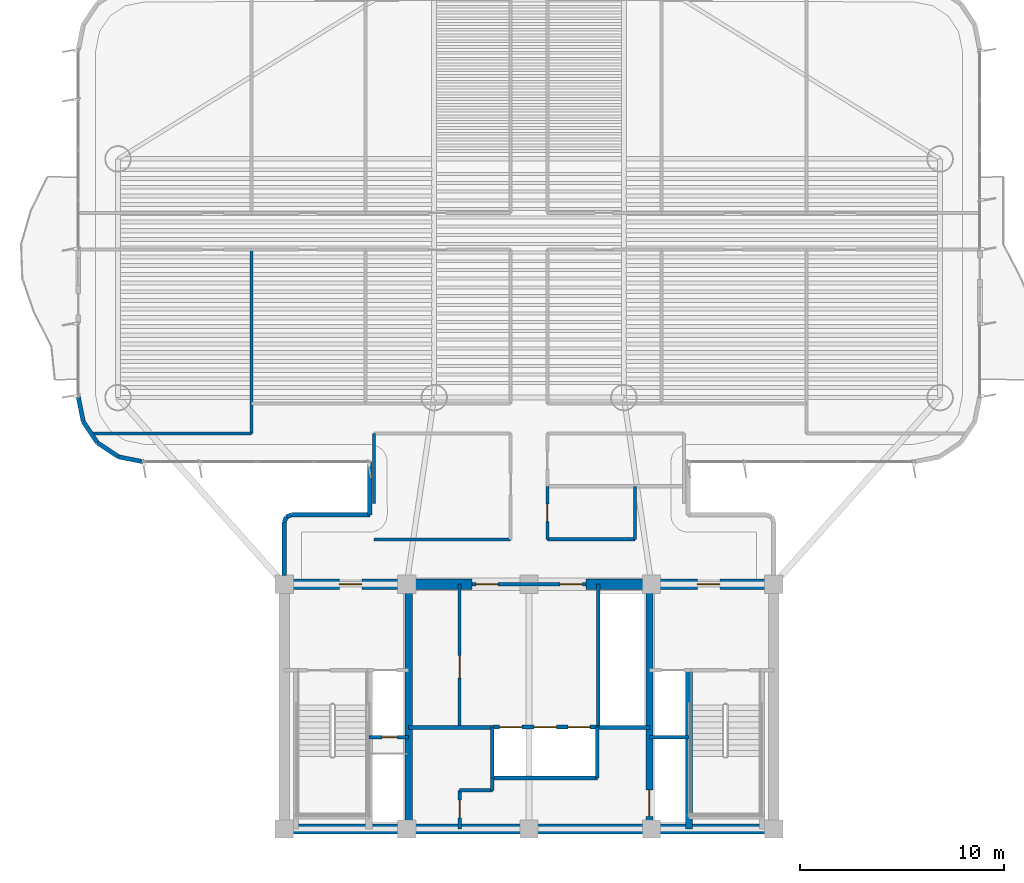
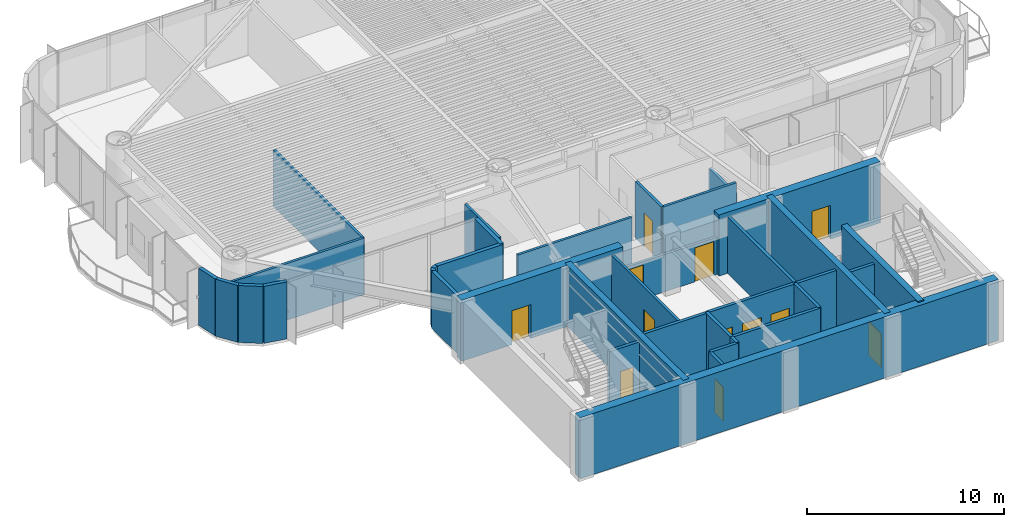
# One storey, part 9 of 16: 36 walls, 12 doors, 12 openings.
"""IFC4 building model written with IfcOpenShell, lengths in metres."""

import ifcopenshell
import ifcopenshell.guid

model = None  # the IFC model being written
_history = None  # IfcOwnerHistory: only IFC2X3 demands one
_inside = {}  # id of a spatial element -> (the spatial element, [elements in it])
_under = {}  # id of a project, library or spatial element -> (it, [spatial elements below it])
_declared = {}  # id of a project -> (the project, [libraries it declares])
_typed = {}  # id of a type object -> (the type object, [elements of that type])
_made_of = {}  # id of a material, layer set ... -> (it, [elements and type objects made of it])


def new_model(schema):
    """Start an empty IFC model of exactly this schema.

    Asked for "IFC4X3", IfcOpenShell would pick the latest addendum, in which some entities
    have other attributes; the version numbers below select the first issue.
    IFC2X3 requires an IfcOwnerHistory on every rooted entity: one is made here for all.
    """
    global model, _history
    if schema == "IFC4X3":
        model = ifcopenshell.file(schema_version=(4, 3, 0, 0))
    else:
        model = ifcopenshell.file(schema=schema)
    _inside.clear()
    _under.clear()
    _declared.clear()
    _typed.clear()
    _made_of.clear()
    _history = None
    if model.schema == "IFC2X3":
        org = make("IfcOrganization", Name="unknown")
        user = make(
            "IfcPersonAndOrganization",
            ThePerson=make("IfcPerson", FamilyName="unknown"),
            TheOrganization=org,
        )
        app = make(
            "IfcApplication",
            ApplicationDeveloper=org,
            Version="unknown",
            ApplicationFullName="unknown",
            ApplicationIdentifier="unknown",
        )
        _history = make(
            "IfcOwnerHistory",
            OwningUser=user,
            OwningApplication=app,
            ChangeAction="ADDED",
            CreationDate=0,
        )
    return model


def make(cls, **values):
    """One entity of the class cls with the attributes given. An attribute that is None is left unset."""
    return model.create_entity(
        cls, **{name: value for name, value in values.items() if value is not None}
    )


def rooted(cls, **values):
    """An entity with a GlobalId (a new one), such as an element, a storey or a relation."""
    return make(cls, GlobalId=ifcopenshell.guid.new(), OwnerHistory=_history, **values)


def si_unit(unit_type, name, prefix=None):
    """IfcSIUnit, for example si_unit("LENGTHUNIT", "METRE", prefix="MILLI")."""
    return make("IfcSIUnit", UnitType=unit_type, Prefix=prefix, Name=name)


def assignment(units):
    """IfcUnitAssignment: the units of a project."""
    return None if units is None else make("IfcUnitAssignment", Units=units)


def point(xyz):
    """IfcCartesianPoint."""
    return None if xyz is None else make("IfcCartesianPoint", Coordinates=xyz)


def direction(xyz):
    """IfcDirection."""
    return None if xyz is None else make("IfcDirection", DirectionRatios=xyz)


def frame(location, z_axis=None, x_axis=None):
    """IfcAxis2Placement3D, a coordinate frame: its origin and axes. An axis left out is left unset."""
    return make(
        "IfcAxis2Placement3D",
        Location=point(location),
        Axis=direction(z_axis),
        RefDirection=direction(x_axis),
    )


def frame_2d(location, x_axis=None):
    """IfcAxis2Placement2D, a coordinate frame in the plane: its origin and x axis."""
    return make(
        "IfcAxis2Placement2D", Location=point(location), RefDirection=direction(x_axis)
    )


def origin():
    """The frame at (0, 0, 0) with its axes left unset."""
    return frame((0.0, 0.0, 0.0))


def origin_2d():
    """The frame at (0, 0) in the plane with its x axis left unset."""
    return frame_2d((0.0, 0.0))


def place(relative_to, where):
    """IfcLocalPlacement: puts the frame where relative to a parent placement (None: the world)."""
    return make(
        "IfcLocalPlacement", PlacementRelTo=relative_to, RelativePlacement=where
    )


def context(
    kind, dimensions, precision=None, world=None, true_north=None, identifier=None
):
    """IfcGeometricRepresentationContext, for example the 3D "Model" context."""
    return make(
        "IfcGeometricRepresentationContext",
        ContextIdentifier=identifier,
        ContextType=kind,
        CoordinateSpaceDimension=dimensions,
        Precision=precision,
        WorldCoordinateSystem=world,
        TrueNorth=true_north,
    )


def subcontext(parent, identifier, kind, view, scale=None):
    """IfcGeometricRepresentationSubContext, for example "Body" below "Model"."""
    return make(
        "IfcGeometricRepresentationSubContext",
        ContextIdentifier=identifier,
        ContextType=kind,
        ParentContext=parent,
        TargetScale=scale,
        TargetView=view,
    )


def project(units=None, contexts=None):
    """IfcProject with its units and contexts."""
    return rooted(
        "IfcProject",
        Name="project",
        RepresentationContexts=contexts,
        UnitsInContext=assignment(units),
    )


def spatial(cls, under=None, at=None, **own):
    """A site, building, storey or space (cls), placed at a placement, below another one or the project."""
    s = rooted(cls, ObjectPlacement=at, **own)
    if under is not None:
        _under.setdefault(under.id(), (under, []))[1].append(s)
    return s


def profile(cls, at=None, kind="AREA", **sizes):
    """A parametric profile (cls). Its sizes go by their IFC names, for example OverallWidth=200.0."""
    return make(cls, ProfileType=kind, Position=at, **sizes)


def rectangle(**sizes):
    """IfcRectangleProfileDef."""
    return profile("IfcRectangleProfileDef", **sizes)


def extrude(swept, where, along, depth):
    """IfcExtrudedAreaSolid: the profile swept, set in the frame where, extruded along a direction by depth."""
    return make(
        "IfcExtrudedAreaSolid",
        SweptArea=swept,
        Position=where,
        ExtrudedDirection=direction(along),
        Depth=depth,
    )


def shape(context_of_items, identifier, shape_type, items):
    """IfcShapeRepresentation: the items that make up one representation, for example the "Body"."""
    return make(
        "IfcShapeRepresentation",
        ContextOfItems=context_of_items,
        RepresentationIdentifier=identifier,
        RepresentationType=shape_type,
        Items=items,
    )


def source(mapping_origin, context_of_items, identifier, shape_type, items):
    """IfcRepresentationMap: a shape defined once, which mapped items show again and again."""
    return make(
        "IfcRepresentationMap",
        MappingOrigin=mapping_origin,
        MappedRepresentation=shape(context_of_items, identifier, shape_type, items),
    )


def transform(
    local_origin,
    x_axis=None,
    y_axis=None,
    z_axis=None,
    scale=None,
    scale2=None,
    scale3=None,
    uniform=True,
):
    """IfcCartesianTransformationOperator3D, or its non-uniform kind. x_axis, y_axis, z_axis: its Axis1, 2, 3."""
    if uniform:
        return make(
            "IfcCartesianTransformationOperator3D",
            Axis1=direction(x_axis),
            Axis2=direction(y_axis),
            LocalOrigin=point(local_origin),
            Scale=scale,
            Axis3=direction(z_axis),
        )
    return make(
        "IfcCartesianTransformationOperator3DnonUniform",
        Axis1=direction(x_axis),
        Axis2=direction(y_axis),
        LocalOrigin=point(local_origin),
        Scale=scale,
        Axis3=direction(z_axis),
        Scale2=scale2,
        Scale3=scale3,
    )


def mapped(mapping_source, mapping_target):
    """IfcMappedItem: shows the shape of a source again, moved by a transform."""
    return make(
        "IfcMappedItem", MappingSource=mapping_source, MappingTarget=mapping_target
    )


def material(Name=None, Category=None):
    """IfcMaterial."""
    return make("IfcMaterial", Name=Name, Category=Category)


def layer(
    of_material, thickness, ventilated=None, Name=None, Category=None, Priority=None
):
    """IfcMaterialLayer: one layer of a wall or slab, of a material (None: an air gap)."""
    return make(
        "IfcMaterialLayer",
        Material=of_material,
        LayerThickness=thickness,
        IsVentilated=ventilated,
        Name=Name,
        Category=Category,
        Priority=Priority,
    )


def layer_set(layers, Name=None):
    """IfcMaterialLayerSet."""
    return make("IfcMaterialLayerSet", MaterialLayers=layers, LayerSetName=Name)


def made_of(thing, what):
    """Note that an element or type object is made of a material, layer set ...; save() writes the relation."""
    if what is not None:
        _made_of.setdefault(what.id(), (what, []))[1].append(thing)
    return thing


def type_object(cls, material=None, **own):
    """A type object (cls), such as IfcWallType, which elements share."""
    return made_of(rooted(cls, **own), material)


def element(
    cls,
    number,
    at=None,
    inside=None,
    cuts=None,
    type_object=None,
    material=None,
    context=None,
    identifier="Body",
    shape_type=None,
    held_by="IfcProductDefinitionShape",
    body=None,
    shapes=None,
    **own,
):
    """One element of the class cls, such as IfcWall. Its Tag is "e" and its number.

    at: its placement. inside: the storey or other place that contains it. cuts: it is an
    opening in that element (IfcRelVoidsElement). A single representation is given by context,
    identifier, shape_type and body (its items); several are given by shapes. held_by: the class
    of the entity that holds the representations. save() writes the other relations.
    """
    e = rooted(cls, Tag="e%d" % number, ObjectPlacement=at, **own)
    if body is not None:
        shapes = [shape(context, identifier, shape_type, body)]
    if shapes is not None:
        e.Representation = make(held_by, Representations=shapes)
    if inside is not None:
        _inside.setdefault(inside.id(), (inside, []))[1].append(e)
    if cuts is not None:
        rooted(
            "IfcRelVoidsElement", RelatingBuildingElement=cuts, RelatedOpeningElement=e
        )
    if type_object is not None:
        _typed.setdefault(type_object.id(), (type_object, []))[1].append(e)
    return made_of(e, material)


def fill(opening, filler):
    """IfcRelFillsElement: the door or window that sits in an opening."""
    return rooted(
        "IfcRelFillsElement",
        RelatingOpeningElement=opening,
        RelatedBuildingElement=filler,
    )


def aggregate(whole, parts):
    """IfcRelAggregates: a whole, such as a stair, and the parts it consists of."""
    return rooted("IfcRelAggregates", RelatingObject=whole, RelatedObjects=parts)


def save(model, path):
    """Write the relations noted so far, then the file.

    IfcRelAggregates (storeys below a building ...), IfcRelContainedInSpatialStructure (elements
    in a storey), IfcRelDefinesByType, IfcRelAssociatesMaterial and IfcRelDeclares: one each for
    every whole, place, type object, material and project.
    """
    for whole, parts in _under.values():
        aggregate(whole, parts)
    for where, things in _inside.values():
        rooted(
            "IfcRelContainedInSpatialStructure",
            RelatedElements=things,
            RelatingStructure=where,
        )
    for kind, things in _typed.values():
        rooted("IfcRelDefinesByType", RelatedObjects=things, RelatingType=kind)
    for what, things in _made_of.values():
        rooted("IfcRelAssociatesMaterial", RelatedObjects=things, RelatingMaterial=what)
    for by, libraries in _declared.values():
        rooted("IfcRelDeclares", RelatingContext=by, RelatedDefinitions=libraries)
    model.write(path)


model = new_model("IFC4")

# Units and contexts
model_context = context("Model", 3, precision=1e-05, world=origin(), true_north=direction((0.0, 1.0)))
body_context = subcontext(model_context, "Body", "Model", "MODEL_VIEW")
ifc_project = project(units=[si_unit("LENGTHUNIT", "METRE"), si_unit("AREAUNIT", "SQUARE_METRE"), si_unit("VOLUMEUNIT", "CUBIC_METRE"), si_unit("PLANEANGLEUNIT", "RADIAN"), si_unit("MASSUNIT", "GRAM", prefix="KILO")], contexts=[model_context])

# Site, building, storey
site_placement = place(None, origin())
site = spatial("IfcSite", under=ifc_project, at=site_placement, CompositionType="ELEMENT")
building_placement = place(site_placement, origin())
building = spatial("IfcBuilding", under=site, at=building_placement, Name="Brelvock Crest Care Tower", CompositionType="ELEMENT")
storey_placement = place(building_placement, frame((0.0, 0.0, 123.840087890625)))
storey = spatial("IfcBuildingStorey", under=building, at=storey_placement, Name="L31", CompositionType="ELEMENT", Elevation=123.840087890625)

# Wall
ifc_material_1 = material(Name="Concrete S80 (80 MPa)", Category="concrete")
ifc_layer_1 = layer(ifc_material_1, 0.5, Name="WL-CS2")
ifc_layer_set_1 = layer_set([ifc_layer_1], Name="Concrete S80 (80 MPa)")
wall_type_1 = type_object("IfcWallType", Name="WL-CS2", PredefinedType="SHEAR", material=ifc_layer_set_1)
wall_1_placement = place(storey_placement, frame((48.25, 6.0, 0.0), z_axis=(0.0, 0.0, 1.0), x_axis=(-1.0, 0.0, 0.0)))
element("IfcWall", 1, at=wall_1_placement, inside=storey, type_object=wall_type_1, Name="L31 Core South Shear Wall", PredefinedType="SHEAR", context=body_context, shape_type="SweptSolid", body=[
    extrude(rectangle(XDim=24.5, YDim=0.5, at=frame_2d((12.25, 0.0))), origin(), (0.0, 0.0, 1.0), 3.780029296875),
])

# Wall, opening, door
wall_2_placement = place(storey_placement, frame((23.75, 18.0, 0.0), z_axis=(0.0, 0.0, 1.0), x_axis=(1.0, 0.0, 0.0)))
wall_2 = element("IfcWall", 2, at=wall_2_placement, inside=storey, type_object=wall_type_1, Name="L31 Core North-West Shear Wall", PredefinedType="SHEAR", context=body_context, shape_type="SweptSolid", body=[
    extrude(rectangle(XDim=9.449951171875, YDim=0.5, at=frame_2d((4.72509765625, 0.0))), origin(), (0.0, 0.0, 1.0), 3.780029296875),
])
opening_1_placement = place(wall_2_placement, frame((2.949951171875, 0.0, 0.0)))
opening_1 = element("IfcOpeningElement", 3, at=opening_1_placement, cuts=wall_2, Name="Opening FD-1", PredefinedType="OPENING", context=body_context, shape_type="SweptSolid", body=[
    extrude(rectangle(XDim=1.10009765625, YDim=2.10009765625, at=origin_2d()), frame((0.550048828125, 0.260009765625, 1.050048828125), z_axis=(0.0, -1.0, 0.0), x_axis=(1.0, 0.0, 0.0)), (0.0, 0.0, 1.0), 0.52001953125),
])
ifc_material_2 = material(Name="Steel Grade 350", Category="steel")
door_type_1 = type_object("IfcDoorType", Name="DR-FFL1", OperationType="NOTDEFINED", PredefinedType="DOOR", material=ifc_material_2)
shared_shape_1 = source(origin(), body_context, "Body", "SweptSolid", [
    extrude(rectangle(XDim=1.10009765625, YDim=2.10009765625, at=origin_2d()), frame((0.550048828125, 0.02490234375, 1.050048828125), z_axis=(0.0, -1.0, 0.0), x_axis=(1.0, 0.0, 0.0)), (0.0, 0.0, 1.0), 0.050048828125),
])
door_1_placement = place(opening_1_placement, origin())
door_1 = element("IfcDoor", 4, at=door_1_placement, inside=storey, type_object=door_type_1, Name="L31 Firefighting Lobby FFL-1 Exit Door", OperationType="SINGLE_SWING_LEFT", OverallHeight=2.10009765625, OverallWidth=1.10009765625, PredefinedType="DOOR", context=body_context, shape_type="MappedRepresentation", body=[
    mapped(shared_shape_1, transform((0.0, 0.0, 0.0), x_axis=(1.0, 0.0, 0.0), y_axis=(0.0, 1.0, 0.0), z_axis=(0.0, 0.0, 1.0), scale=1.0)),
])
fill(opening_1, door_1)

wall_3_placement = place(storey_placement, frame((38.800048828125, 18.0, 0.0), z_axis=(0.0, 0.0, 1.0), x_axis=(1.0, 0.0, 0.0)))
wall_3 = element("IfcWall", 5, at=wall_3_placement, inside=storey, type_object=wall_type_1, Name="L31 Core North-East Shear Wall", PredefinedType="SHEAR", context=body_context, shape_type="SweptSolid", body=[
    extrude(rectangle(XDim=9.449951171875, YDim=0.5, at=frame_2d((4.72509765625, 0.0))), origin(), (0.0, 0.0, 1.0), 3.780029296875),
])
opening_2_placement = place(wall_3_placement, frame((5.449951171875, 0.0, 0.0)))
opening_2 = element("IfcOpeningElement", 6, at=opening_2_placement, cuts=wall_3, Name="Opening FD-1", PredefinedType="OPENING", context=body_context, shape_type="SweptSolid", body=[
    extrude(rectangle(XDim=1.10009765625, YDim=2.10009765625, at=origin_2d()), frame((0.550048828125, 0.260009765625, 1.050048828125), z_axis=(0.0, -1.0, 0.0), x_axis=(1.0, 0.0, 0.0)), (0.0, 0.0, 1.0), 0.52001953125),
])
door_2_placement = place(opening_2_placement, origin())
door_2 = element("IfcDoor", 7, at=door_2_placement, inside=storey, type_object=door_type_1, Name="L31 Firefighting Lobby FFL-2 Exit Door", OperationType="SINGLE_SWING_RIGHT", OverallHeight=2.10009765625, OverallWidth=1.10009765625, PredefinedType="DOOR", context=body_context, shape_type="MappedRepresentation", body=[
    mapped(shared_shape_1, transform((0.0, 0.0, 0.0), x_axis=(1.0, 0.0, 0.0), y_axis=(0.0, 1.0, 0.0), z_axis=(0.0, 0.0, 1.0), scale=1.0)),
])
fill(opening_2, door_2)

# Wall
ifc_layer_2 = layer(ifc_material_1, 0.35009765625, Name="WL-CS5")
ifc_layer_set_2 = layer_set([ifc_layer_2], Name="Concrete S80 (80 MPa)")
wall_type_2 = type_object("IfcWallType", Name="WL-CS5", PredefinedType="SHEAR", material=ifc_layer_set_2)
wall_4_placement = place(storey_placement, frame((30.10009765625, 6.0, 0.0), z_axis=(0.0, 0.0, 1.0), x_axis=(0.0, 1.0, 0.0)))
element("IfcWall", 8, at=wall_4_placement, inside=storey, type_object=wall_type_2, Name="L31 Core Internal Web Wall West", PredefinedType="SHEAR", context=body_context, shape_type="SweptSolid", body=[
    extrude(rectangle(XDim=12.0, YDim=0.35009765625, at=frame_2d((6.0, 0.0))), origin(), (0.0, 0.0, 1.0), 3.780029296875),
])

# Wall, opening, door
wall_5_placement = place(storey_placement, frame((41.89990234375, 18.0, 0.0), z_axis=(0.0, 0.0, 1.0), x_axis=(0.0, -1.0, 0.0)))
wall_5 = element("IfcWall", 9, at=wall_5_placement, inside=storey, type_object=wall_type_2, Name="L31 Core Internal Web Wall East", PredefinedType="SHEAR", context=body_context, shape_type="SweptSolid", body=[
    extrude(rectangle(XDim=12.0, YDim=0.35009765625, at=frame_2d((6.0, 0.0))), origin(), (0.0, 0.0, 1.0), 3.780029296875),
])
opening_3_placement = place(wall_5_placement, frame((10.080078125, 0.0, 0.0)))
opening_3 = element("IfcOpeningElement", 10, at=opening_3_placement, cuts=wall_5, Name="Opening LD-S", PredefinedType="OPENING", context=body_context, shape_type="SweptSolid", body=[
    extrude(rectangle(XDim=1.300048828125, YDim=2.10009765625, at=origin_2d()), frame((0.64990234375, 0.18505859375, 1.050048828125), z_axis=(0.0, -1.0, 0.0), x_axis=(1.0, 0.0, 0.0)), (0.0, 0.0, 1.0), 0.3701171875),
])
door_type_2 = type_object("IfcDoorType", Name="DR-LDS1", OperationType="NOTDEFINED", PredefinedType="DOOR", material=ifc_material_2)
shared_shape_2 = source(origin(), body_context, "Body", "SweptSolid", [
    extrude(rectangle(XDim=1.300048828125, YDim=2.10009765625, at=origin_2d()), frame((0.64990234375, 0.02490234375, 1.050048828125), z_axis=(0.0, -1.0, 0.0), x_axis=(1.0, 0.0, 0.0)), (0.0, 0.0, 1.0), 0.050048828125),
])
door_3_placement = place(opening_3_placement, origin())
door_3 = element("IfcDoor", 11, at=door_3_placement, inside=storey, type_object=door_type_2, Name="L31 Clinical Bed Lift SL-1 Landing Door", OperationType="SLIDING_TO_LEFT", OverallHeight=2.10009765625, OverallWidth=1.300048828125, PredefinedType="DOOR", context=body_context, shape_type="MappedRepresentation", body=[
    mapped(shared_shape_2, transform((0.0, 0.0, 0.0), x_axis=(1.0, 0.0, 0.0), y_axis=(0.0, 1.0, 0.0), z_axis=(0.0, 0.0, 1.0), scale=1.0)),
])
fill(opening_3, door_3)

# Walls
wall_6_placement = place(storey_placement, frame((43.85009765625, 6.0, 0.0), z_axis=(0.0, 0.0, 1.0), x_axis=(0.0, 1.0, 0.0)))
element("IfcWall", 12, at=wall_6_placement, inside=storey, type_object=wall_type_2, Name="L31 Core Stair ST-2 West Shear Wall", PredefinedType="SHEAR", context=body_context, shape_type="SweptSolid", body=[
    extrude(rectangle(XDim=7.780029296875, YDim=0.35009765625, at=frame_2d((3.89013671875, 0.0))), origin(), (0.0, 0.0, 1.0), 3.849853515625),
])
ifc_material_3 = material(Name="Precast concrete N40 (40 MPa)", Category="concrete")
ifc_layer_3 = layer(ifc_material_3, 0.215087890625, Name="WL-EX2")
ifc_layer_set_3 = layer_set([ifc_layer_3], Name="Precast concrete N40 (40 MPa)")
wall_type_3 = type_object("IfcWallType", Name="WL-EX2", PredefinedType="SOLIDWALL", material=ifc_layer_set_3)
wall_7_placement = place(storey_placement, frame((24.0, 18.429931640625, 0.0), z_axis=(0.0, 0.0, 1.0), x_axis=(0.0, 1.0, 0.0)))
element("IfcWall", 13, at=wall_7_placement, inside=storey, type_object=wall_type_3, Name="L31 Rounded Corner Wall 07", PredefinedType="SOLIDWALL", context=body_context, shape_type="SweptSolid", body=[
    extrude(rectangle(XDim=2.6201171875, YDim=0.215087890625, at=frame_2d((1.31005859375, 0.0))), origin(), (0.0, 0.0, 1.0), 3.530029296875),
])
wall_8_placement = place(storey_placement, frame((24.0, 21.050048828125, 0.0), z_axis=(0.0, 0.0, 1.0), x_axis=(0.382673670509, 0.923883575944, 0.0)))
element("IfcWall", 14, at=wall_8_placement, inside=storey, type_object=wall_type_3, Name="L31 Rounded Corner Wall 08", PredefinedType="SOLIDWALL", context=body_context, shape_type="SweptSolid", body=[
    extrude(rectangle(XDim=0.26806640625, YDim=0.215087890625, at=frame_2d((0.134033203125, 0.0))), origin(), (0.0, 0.0, 1.0), 3.530029296875),
])
wall_9_placement = place(storey_placement, frame((24.1025390625, 21.297607421875, 0.0), z_axis=(0.0, 0.0, 1.0), x_axis=(0.924205486139, 0.381895560841, 0.0)))
element("IfcWall", 15, at=wall_9_placement, inside=storey, type_object=wall_type_3, Name="L31 Rounded Corner Wall 09", PredefinedType="SOLIDWALL", context=body_context, shape_type="SweptSolid", body=[
    extrude(rectangle(XDim=0.267822265625, YDim=0.215087890625, at=frame_2d((0.1337890625, 0.0))), origin(), (0.0, 0.0, 1.0), 3.530029296875),
])
wall_10_placement = place(storey_placement, frame((24.35009765625, 21.39990234375, 0.0), z_axis=(0.0, 0.0, 1.0), x_axis=(1.0, 0.0, 0.0)))
element("IfcWall", 16, at=wall_10_placement, inside=storey, type_object=wall_type_3, Name="L31 Rounded Corner Wall 10", PredefinedType="SOLIDWALL", context=body_context, shape_type="SweptSolid", body=[
    extrude(rectangle(XDim=3.849853515625, YDim=0.215087890625, at=frame_2d((1.9248046875, 0.0))), origin(), (0.0, 0.0, 1.0), 3.530029296875),
])
wall_11_placement = place(storey_placement, frame((28.199951171875, 21.39990234375, 0.0), z_axis=(0.0, 0.0, 1.0), x_axis=(0.0, 1.0, 0.0)))
element("IfcWall", 17, at=wall_11_placement, inside=storey, type_object=wall_type_3, Name="L31 Rounded Corner Wall 11", PredefinedType="SOLIDWALL", context=body_context, shape_type="SweptSolid", body=[
    extrude(rectangle(XDim=2.60009765625, YDim=0.215087890625, at=frame_2d((1.300048828125, 0.0))), origin(), (0.0, 0.0, 1.0), 3.530029296875),
])
for number, where, z_axis, x_axis, name in (
    (18, (17.10009765625, 24.0, 0.0), (0.0, 0.0, 1.0), (-0.980775717779, 0.195138390419, 0.0), "L31 Rounded Corner Wall 13"),
    (19, (15.87548828125, 24.24365234375, 0.0), (0.0, 0.0, 1.0), (-0.831478245117, 0.555557312883, 0.0), "L31 Rounded Corner Wall 14"),
    (20, (14.83740234375, 24.937255859375, 0.0), (0.0, 0.0, 1.0), (-0.555692485475, 0.831387912822, 0.0), "L31 Rounded Corner Wall 15"),
    (21, (14.1435546875, 25.975341796875, 0.0), (0.0, 0.0, 1.0), (-0.195138390419, 0.980775717779, 0.0), "L31 Rounded Corner Wall 16"),
):
    element("IfcWall", number, at=place(storey_placement, frame(where, z_axis=z_axis, x_axis=x_axis)), inside=storey, type_object=wall_type_3, Name=name, PredefinedType="SOLIDWALL", context=body_context, shape_type="SweptSolid", body=[
        extrude(rectangle(XDim=1.24853515625, YDim=0.215087890625, at=frame_2d((0.624267578125, 0.0))), origin(), (0.0, 0.0, 1.0), 3.530029296875),
    ])

# Wall, opening, door
ifc_material_4 = material(Name="Masonry Blockwork Acoustic Partition", Category="masonry")
ifc_layer_4 = layer(ifc_material_4, 0.14990234375, Name="WL-INT1")
ifc_layer_set_4 = layer_set([ifc_layer_4], Name="Masonry Blockwork Acoustic Partition")
wall_type_4 = type_object("IfcWallType", Name="WL-INT1", PredefinedType="PARTITIONING", material=ifc_layer_set_4)
wall_12_placement = place(storey_placement, frame((32.60009765625, 11.0, 0.0), z_axis=(0.0, 0.0, 1.0), x_axis=(0.0, 1.0, 0.0)))
wall_12 = element("IfcWall", 22, at=wall_12_placement, inside=storey, type_object=wall_type_4, Name="L31 Interior Wall WL-CRCL-E-L31", PredefinedType="PARTITIONING", context=body_context, shape_type="SweptSolid", body=[
    extrude(rectangle(XDim=7.0, YDim=0.14990234375, at=frame_2d((3.5, 0.0))), origin(), (0.0, 0.0, 1.0), 3.5),
])
opening_4_placement = place(wall_12_placement, frame((2.39990234375, 0.0, 0.0)))
opening_4 = element("IfcOpeningElement", 23, at=opening_4_placement, cuts=wall_12, Name="Opening PD-1", PredefinedType="OPENING", context=body_context, shape_type="SweptSolid", body=[
    extrude(rectangle(XDim=1.10009765625, YDim=2.10009765625, at=origin_2d()), frame((0.550048828125, 0.0849609375, 1.050048828125), z_axis=(0.0, -1.0, 0.0), x_axis=(1.0, 0.0, 0.0)), (0.0, 0.0, 1.0), 0.169921875),
])
door_type_3 = type_object("IfcDoorType", Name="DR-PLT1", OperationType="NOTDEFINED", PredefinedType="DOOR", material=ifc_material_2)
shared_shape_3 = source(origin(), body_context, "Body", "SweptSolid", [
    extrude(rectangle(XDim=1.10009765625, YDim=2.10009765625, at=origin_2d()), frame((0.550048828125, 0.02490234375, 1.050048828125), z_axis=(0.0, -1.0, 0.0), x_axis=(1.0, 0.0, 0.0)), (0.0, 0.0, 1.0), 0.050048828125),
])
door_4_placement = place(opening_4_placement, origin())
door_4 = element("IfcDoor", 24, at=door_4_placement, inside=storey, type_object=door_type_3, Name="DR-CRCL1-L31", OperationType="SINGLE_SWING_LEFT", OverallHeight=2.10009765625, OverallWidth=1.10009765625, PredefinedType="DOOR", context=body_context, shape_type="MappedRepresentation", body=[
    mapped(shared_shape_3, transform((0.0, 0.0, 0.0), x_axis=(1.0, 0.0, 0.0), y_axis=(0.0, 1.0, 0.0), z_axis=(0.0, 0.0, 1.0), scale=1.0)),
])
fill(opening_4, door_4)

# Wall, openings, doors
wall_13_placement = place(storey_placement, frame((33.199951171875, 18.0, 0.0), z_axis=(0.0, 0.0, 1.0), x_axis=(1.0, 0.0, 0.0)))
wall_13 = element("IfcWall", 25, at=wall_13_placement, inside=storey, type_object=wall_type_4, Name="L31 Interior Wall WL-CORE-NPORT-L31", PredefinedType="PARTITIONING", context=body_context, shape_type="SweptSolid", body=[
    extrude(rectangle(XDim=5.60009765625, YDim=0.14990234375, at=frame_2d((2.800048828125, 0.0))), origin(), (0.0, 0.0, 1.0), 2.31494140625),
])
opening_5_placement = place(wall_13_placement, frame((0.18994140625, 0.0, 0.0)))
opening_5 = element("IfcOpeningElement", 26, at=opening_5_placement, cuts=wall_13, Name="Opening FD-1", PredefinedType="OPENING", context=body_context, shape_type="SweptSolid", body=[
    extrude(rectangle(XDim=1.10009765625, YDim=2.10009765625, at=origin_2d()), frame((0.550048828125, 0.0849609375, 1.050048828125), z_axis=(0.0, -1.0, 0.0), x_axis=(1.0, 0.0, 0.0)), (0.0, 0.0, 1.0), 0.169921875),
])
opening_6_placement = place(wall_13_placement, frame((4.31005859375, 0.0, 0.0)))
opening_6 = element("IfcOpeningElement", 27, at=opening_6_placement, cuts=wall_13, Name="Opening FD-1", PredefinedType="OPENING", context=body_context, shape_type="SweptSolid", body=[
    extrude(rectangle(XDim=1.10009765625, YDim=2.10009765625, at=origin_2d()), frame((0.550048828125, 0.0849609375, 1.050048828125), z_axis=(0.0, -1.0, 0.0), x_axis=(1.0, 0.0, 0.0)), (0.0, 0.0, 1.0), 0.169921875),
])
door_5_placement = place(opening_5_placement, origin())
door_5 = element("IfcDoor", 28, at=door_5_placement, inside=storey, type_object=door_type_1, Name="L31 Lift Lobby North Smoke Door West", OperationType="SINGLE_SWING_LEFT", OverallHeight=2.10009765625, OverallWidth=1.10009765625, PredefinedType="DOOR", context=body_context, shape_type="MappedRepresentation", body=[
    mapped(shared_shape_1, transform((0.0, 0.0, 0.0), x_axis=(1.0, 0.0, 0.0), y_axis=(0.0, 1.0, 0.0), z_axis=(0.0, 0.0, 1.0), scale=1.0)),
])
fill(opening_5, door_5)
door_6_placement = place(opening_6_placement, origin())
door_6 = element("IfcDoor", 29, at=door_6_placement, inside=storey, type_object=door_type_1, Name="L31 Lift Lobby North Smoke Door East", OperationType="SINGLE_SWING_RIGHT", OverallHeight=2.10009765625, OverallWidth=1.10009765625, PredefinedType="DOOR", context=body_context, shape_type="MappedRepresentation", body=[
    mapped(shared_shape_1, transform((0.0, 0.0, 0.0), x_axis=(1.0, 0.0, 0.0), y_axis=(0.0, 1.0, 0.0), z_axis=(0.0, 0.0, 1.0), scale=1.0)),
])
fill(opening_6, door_6)

# Walls
wall_14_placement = place(storey_placement, frame((28.39990234375, 20.199951171875, 0.0), z_axis=(0.0, 0.0, 1.0), x_axis=(1.0, 0.0, 0.0)))
element("IfcWall", 30, at=wall_14_placement, inside=storey, type_object=wall_type_4, Name="L31 Interior Wall WL-BX-L31-THW-S", PredefinedType="PARTITIONING", context=body_context, shape_type="SweptSolid", body=[
    extrude(rectangle(XDim=6.7001953125, YDim=0.14990234375, at=frame_2d((3.35009765625, 0.0))), origin(), (0.0, 0.0, 1.0), 3.5),
])
wall_15_placement = place(storey_placement, frame((14.624267578125, 25.39990234375, 0.0), z_axis=(0.0, 0.0, 1.0), x_axis=(1.0, 0.0, 0.0)))
element("IfcWall", 31, at=wall_15_placement, inside=storey, type_object=wall_type_4, Name="L31 Interior Wall WL-BX-L31-SW-S2", PredefinedType="PARTITIONING", context=body_context, shape_type="SweptSolid", body=[
    extrude(rectangle(XDim=7.775634765625, YDim=0.14990234375, at=frame_2d((3.8876953125, 0.0))), origin(), (0.0, 0.0, 1.0), 3.5),
])
wall_16_placement = place(storey_placement, frame((22.39990234375, 25.39990234375, 0.0), z_axis=(0.0, 0.0, 1.0), x_axis=(0.0, 1.0, 0.0)))
element("IfcWall", 32, at=wall_16_placement, inside=storey, type_object=wall_type_4, Name="L31 Interior Wall WL-BX-L31-SW-E", PredefinedType="PARTITIONING", context=body_context, shape_type="SweptSolid", body=[
    extrude(rectangle(XDim=9.0, YDim=0.14990234375, at=frame_2d((4.5, 0.0))), origin(), (0.0, 0.0, 1.0), 3.5),
])
wall_17_placement = place(storey_placement, frame((28.39990234375, 21.957275390625, 0.0), z_axis=(0.0, 0.0, 1.0), x_axis=(0.0, 1.0, 0.0)))
element("IfcWall", 33, at=wall_17_placement, inside=storey, type_object=wall_type_4, Name="L31 Interior Wall WL-BX-L31-THW-W2", PredefinedType="PARTITIONING", context=body_context, shape_type="SweptSolid", body=[
    extrude(rectangle(XDim=3.442626953125, YDim=0.14990234375, at=frame_2d((1.72119140625, 0.0))), origin(), (0.0, 0.0, 1.0), 3.5),
])
ifc_material_5 = material(Name="Gypsum Plasterboard Partition", Category="gypsum")
ifc_layer_5 = layer(ifc_material_5, 0.159912109375, Name="WL-PLM1")
ifc_layer_set_5 = layer_set([ifc_layer_5], Name="Gypsum Plasterboard Partition")
wall_type_5 = type_object("IfcWallType", Name="WL-PLM1", PredefinedType="PLUMBINGWALL", material=ifc_layer_set_5)
wall_18_placement = place(storey_placement, frame((36.89990234375, 20.199951171875, 0.0), z_axis=(0.0, 0.0, 1.0), x_axis=(1.0, 0.0, 0.0)))
element("IfcWall", 34, at=wall_18_placement, inside=storey, type_object=wall_type_5, Name="L31 Interior Wall WL-BX-L31-THE1-S", PredefinedType="PLUMBINGWALL", context=body_context, shape_type="SweptSolid", body=[
    extrude(rectangle(XDim=4.300048828125, YDim=0.159912109375, at=frame_2d((2.14990234375, 0.0))), origin(), (0.0, 0.0, 1.0), 3.5),
])

# Wall, opening, door
wall_19_placement = place(storey_placement, frame((36.89990234375, 20.199951171875, 0.0), z_axis=(0.0, 0.0, 1.0), x_axis=(0.0, 1.0, 0.0)))
wall_19 = element("IfcWall", 35, at=wall_19_placement, inside=storey, type_object=wall_type_5, Name="L31 Interior Wall WL-RM-L31-THE1", PredefinedType="PLUMBINGWALL", context=body_context, shape_type="SweptSolid", body=[
    extrude(rectangle(XDim=2.60009765625, YDim=0.159912109375, at=frame_2d((1.300048828125, 0.0))), origin(), (0.0, 0.0, 1.0), 3.5),
])
opening_7_placement = place(wall_19_placement, frame((0.8701171875, 0.0, 0.0)))
opening_7 = element("IfcOpeningElement", 36, at=opening_7_placement, cuts=wall_19, Name="Opening WD-1", PredefinedType="OPENING", context=body_context, shape_type="SweptSolid", body=[
    extrude(rectangle(XDim=0.860107421875, YDim=2.10009765625, at=origin_2d()), frame((0.43017578125, 0.08984375, 1.050048828125), z_axis=(0.0, -1.0, 0.0), x_axis=(1.0, 0.0, 0.0)), (0.0, 0.0, 1.0), 0.179931640625),
])
ifc_material_6 = material(Name="Engineered Hardwood Timber", Category="wood")
door_type_4 = type_object("IfcDoorType", Name="DR-WC1", OperationType="NOTDEFINED", PredefinedType="DOOR", material=ifc_material_6)
shared_shape_4 = source(origin(), body_context, "Body", "SweptSolid", [
    extrude(rectangle(XDim=0.860107421875, YDim=2.10009765625, at=origin_2d()), frame((0.43017578125, 0.02490234375, 1.050048828125), z_axis=(0.0, -1.0, 0.0), x_axis=(1.0, 0.0, 0.0)), (0.0, 0.0, 1.0), 0.050048828125),
])
door_7_placement = place(opening_7_placement, origin())
door_7 = element("IfcDoor", 37, at=door_7_placement, inside=storey, type_object=door_type_4, Name="L31 Floor Accessible WC Door THE1", OperationType="SINGLE_SWING_LEFT", OverallHeight=2.10009765625, OverallWidth=0.860107421875, PredefinedType="DOOR", context=body_context, shape_type="MappedRepresentation", body=[
    mapped(shared_shape_4, transform((0.0, 0.0, 0.0), x_axis=(1.0, 0.0, 0.0), y_axis=(0.0, 1.0, 0.0), z_axis=(0.0, 0.0, 1.0), scale=1.0)),
])
fill(opening_7, door_7)

# Walls
wall_20_placement = place(storey_placement, frame((41.199951171875, 20.199951171875, 0.0), z_axis=(0.0, 0.0, 1.0), x_axis=(0.0, 1.0, 0.0)))
element("IfcWall", 38, at=wall_20_placement, inside=storey, type_object=wall_type_5, Name="L31 Interior Wall WL-BX-L31-THE1-E", PredefinedType="PLUMBINGWALL", context=body_context, shape_type="SweptSolid", body=[
    extrude(rectangle(XDim=2.60009765625, YDim=0.159912109375, at=frame_2d((1.300048828125, 0.0))), origin(), (0.0, 0.0, 1.0), 2.81494140625),
])
ifc_layer_6 = layer(ifc_material_4, 0.179931640625, Name="WL-SHF1")
ifc_layer_set_6 = layer_set([ifc_layer_6], Name="Masonry Blockwork Acoustic Partition")
wall_type_6 = type_object("IfcWallType", Name="WL-SHF1", PredefinedType="PARTITIONING", material=ifc_layer_set_6)
wall_21_placement = place(storey_placement, frame((34.199951171875, 8.5, 0.0), z_axis=(0.0, 0.0, 1.0), x_axis=(1.0, 0.0, 0.0)))
element("IfcWall", 39, at=wall_21_placement, inside=storey, type_object=wall_type_6, Name="L31 Interior Wall WL-PLM-S-L31", PredefinedType="PARTITIONING", context=body_context, shape_type="SweptSolid", body=[
    extrude(rectangle(XDim=5.150146484375, YDim=0.179931640625, at=frame_2d((2.5751953125, 0.0))), origin(), (0.0, 0.0, 1.0), 3.5),
])
for number, where, z_axis, x_axis, name in (
    (40, (34.199951171875, 8.5, 0.0), (0.0, 0.0, 1.0), (0.0, 1.0, 0.0), "L31 Interior Wall WL-PLM-W-L31"),
    (41, (39.35009765625, 8.5, 0.0), (0.0, 0.0, 1.0), (0.0, 1.0, 0.0), "L31 Interior Wall WL-PLM-E-L31"),
):
    element("IfcWall", number, at=place(storey_placement, frame(where, z_axis=z_axis, x_axis=x_axis)), inside=storey, type_object=wall_type_6, Name=name, PredefinedType="PARTITIONING", context=body_context, shape_type="SweptSolid", body=[
        extrude(rectangle(XDim=2.5, YDim=0.179931640625, at=frame_2d((1.25, 0.0))), origin(), (0.0, 0.0, 1.0), 3.5),
    ])
wall_22_placement = place(storey_placement, frame((39.39990234375, 11.0, 0.0), z_axis=(0.0, 0.0, 1.0), x_axis=(0.0, 1.0, 0.0)))
element("IfcWall", 42, at=wall_22_placement, inside=storey, type_object=wall_type_6, Name="L31 Interior Wall WL-PLH-SHF-L31", PredefinedType="PARTITIONING", context=body_context, shape_type="SweptSolid", body=[
    extrude(rectangle(XDim=7.0, YDim=0.179931640625, at=frame_2d((3.5, 0.0))), origin(), (0.0, 0.0, 1.0), 3.5),
])
wall_23_placement = place(storey_placement, frame((30.10009765625, 10.97998046875, 0.0), z_axis=(0.0, 0.0, 1.0), x_axis=(1.0, 0.0, 0.0)))
element("IfcWall", 43, at=wall_23_placement, inside=storey, type_object=wall_type_6, Name="L31 Interior Wall WL-CSBW-N-L31", PredefinedType="PARTITIONING", context=body_context, shape_type="SweptSolid", body=[
    extrude(rectangle(XDim=4.079833984375, YDim=0.179931640625, at=frame_2d((2.0400390625, 0.0))), origin(), (0.0, 0.0, 1.0), 3.5),
])
wall_24_placement = place(storey_placement, frame((34.199951171875, 7.89990234375, 0.0), z_axis=(0.0, 0.0, 1.0), x_axis=(0.0, 1.0, 0.0)))
element("IfcWall", 44, at=wall_24_placement, inside=storey, type_object=wall_type_6, Name="L31 Interior Wall WL-CSBW-E2-L31", PredefinedType="PARTITIONING", context=body_context, shape_type="SweptSolid", body=[
    extrude(rectangle(XDim=0.60009765625, YDim=0.179931640625, at=frame_2d((0.300048828125, 0.0))), origin(), (0.0, 0.0, 1.0), 3.5),
])
wall_25_placement = place(storey_placement, frame((32.60009765625, 7.89990234375, 0.0), z_axis=(0.0, 0.0, 1.0), x_axis=(1.0, 0.0, 0.0)))
element("IfcWall", 45, at=wall_25_placement, inside=storey, type_object=wall_type_6, Name="L31 Interior Wall WL-CSBW-S2-L31", PredefinedType="PARTITIONING", context=body_context, shape_type="SweptSolid", body=[
    extrude(rectangle(XDim=1.599853515625, YDim=0.179931640625, at=frame_2d((0.7998046875, 0.0))), origin(), (0.0, 0.0, 1.0), 3.5),
])

# Wall, opening, door
wall_26_placement = place(storey_placement, frame((32.60009765625, 6.0, 0.0), z_axis=(0.0, 0.0, 1.0), x_axis=(0.0, 1.0, 0.0)))
wall_26 = element("IfcWall", 46, at=wall_26_placement, inside=storey, type_object=wall_type_6, Name="L31 Interior Wall WL-CSBW-E1-L31", PredefinedType="PARTITIONING", context=body_context, shape_type="SweptSolid", body=[
    extrude(rectangle(XDim=1.89990234375, YDim=0.179931640625, at=frame_2d((0.949951171875, 0.0))), origin(), (0.0, 0.0, 1.0), 3.5),
])
opening_8_placement = place(wall_26_placement, frame((0.550048828125, 0.0, 0.0)))
opening_8 = element("IfcOpeningElement", 47, at=opening_8_placement, cuts=wall_26, Name="Opening ID-1", PredefinedType="OPENING", context=body_context, shape_type="SweptSolid", body=[
    extrude(rectangle(XDim=0.860107421875, YDim=2.10009765625, at=origin_2d()), frame((0.43017578125, 0.10009765625, 1.050048828125), z_axis=(0.0, -1.0, 0.0), x_axis=(1.0, 0.0, 0.0)), (0.0, 0.0, 1.0), 0.199951171875),
])
door_type_5 = type_object("IfcDoorType", Name="DR-INT1", OperationType="NOTDEFINED", PredefinedType="DOOR", material=ifc_material_6)
shared_shape_5 = source(origin(), body_context, "Body", "SweptSolid", [
    extrude(rectangle(XDim=0.860107421875, YDim=2.10009765625, at=origin_2d()), frame((0.43017578125, 0.02490234375, 1.050048828125), z_axis=(0.0, -1.0, 0.0), x_axis=(1.0, 0.0, 0.0)), (0.0, 0.0, 1.0), 0.050048828125),
])
door_8_placement = place(opening_8_placement, origin())
door_8 = element("IfcDoor", 48, at=door_8_placement, inside=storey, type_object=door_type_5, Name="DR-CSBW-L31", OperationType="SINGLE_SWING_LEFT", OverallHeight=2.10009765625, OverallWidth=0.860107421875, PredefinedType="DOOR", context=body_context, shape_type="MappedRepresentation", body=[
    mapped(shared_shape_5, transform((0.0, 0.0, 0.0), x_axis=(1.0, 0.0, 0.0), y_axis=(0.0, 1.0, 0.0), z_axis=(0.0, 0.0, 1.0), scale=1.0)),
])
fill(opening_8, door_8)

# Wall
wall_27_placement = place(storey_placement, frame((39.35009765625, 10.97998046875, 0.0), z_axis=(0.0, 0.0, 1.0), x_axis=(1.0, 0.0, 0.0)))
element("IfcWall", 49, at=wall_27_placement, inside=storey, type_object=wall_type_6, Name="L31 Interior Wall WL-CSBE-N-L31", PredefinedType="PARTITIONING", context=body_context, shape_type="SweptSolid", body=[
    extrude(rectangle(XDim=2.5498046875, YDim=0.179931640625, at=frame_2d((1.27490234375, 0.0))), origin(), (0.0, 0.0, 1.0), 3.5),
])

# Wall, opening, door
wall_28_placement = place(storey_placement, frame((28.14990234375, 10.5, 0.0), z_axis=(0.0, 0.0, 1.0), x_axis=(1.0, 0.0, 0.0)))
wall_28 = element("IfcWall", 50, at=wall_28_placement, inside=storey, type_object=wall_type_6, Name="L31 Interior Wall WL-FFH1-S-L31", PredefinedType="PARTITIONING", context=body_context, shape_type="SweptSolid", body=[
    extrude(rectangle(XDim=1.9501953125, YDim=0.179931640625, at=frame_2d((0.97509765625, 0.0))), origin(), (0.0, 0.0, 1.0), 3.5),
])
opening_9_placement = place(wall_28_placement, frame((0.64990234375, 0.0, 0.0)))
opening_9 = element("IfcOpeningElement", 51, at=opening_9_placement, cuts=wall_28, Name="Opening RD-1", PredefinedType="OPENING", context=body_context, shape_type="SweptSolid", body=[
    extrude(rectangle(XDim=0.760009765625, YDim=2.050048828125, at=origin_2d()), frame((0.3798828125, 0.10009765625, 1.02490234375), z_axis=(0.0, -1.0, 0.0), x_axis=(1.0, 0.0, 0.0)), (0.0, 0.0, 1.0), 0.199951171875),
])
door_type_6 = type_object("IfcDoorType", Name="DR-RIS1", OperationType="NOTDEFINED", PredefinedType="DOOR", material=ifc_material_2)
shared_shape_6 = source(origin(), body_context, "Body", "SweptSolid", [
    extrude(rectangle(XDim=0.760009765625, YDim=2.050048828125, at=origin_2d()), frame((0.3798828125, 0.02490234375, 1.02490234375), z_axis=(0.0, -1.0, 0.0), x_axis=(1.0, 0.0, 0.0)), (0.0, 0.0, 1.0), 0.050048828125),
])
door_9_placement = place(opening_9_placement, origin())
door_9 = element("IfcDoor", 52, at=door_9_placement, inside=storey, type_object=door_type_6, Name="L31 Wet Fire Riser Access Door", OperationType="SINGLE_SWING_LEFT", OverallHeight=2.050048828125, OverallWidth=0.760009765625, PredefinedType="DOOR", context=body_context, shape_type="MappedRepresentation", body=[
    mapped(shared_shape_6, transform((0.0, 0.0, 0.0), x_axis=(1.0, 0.0, 0.0), y_axis=(0.0, 1.0, 0.0), z_axis=(0.0, 0.0, 1.0), scale=1.0)),
])
fill(opening_9, door_9)

# Wall
wall_29_placement = place(storey_placement, frame((41.89990234375, 10.5, 0.0), z_axis=(0.0, 0.0, 1.0), x_axis=(1.0, 0.0, 0.0)))
element("IfcWall", 53, at=wall_29_placement, inside=storey, type_object=wall_type_6, Name="L31 Interior Wall WL-FFH2-S-L31", PredefinedType="PARTITIONING", context=body_context, shape_type="SweptSolid", body=[
    extrude(rectangle(XDim=1.9501953125, YDim=0.179931640625, at=frame_2d((0.97509765625, 0.0))), origin(), (0.0, 0.0, 1.0), 3.5),
])

# Wall, openings, doors
wall_30_placement = place(storey_placement, frame((34.199951171875, 11.0, 0.0), z_axis=(0.0, 0.0, 1.0), x_axis=(1.0, 0.0, 0.0)))
wall_30 = element("IfcWall", 54, at=wall_30_placement, inside=storey, type_object=wall_type_6, Name="L31 Interior Wall WL-PLM-BANK-L31", PredefinedType="PARTITIONING", context=body_context, shape_type="SweptSolid", body=[
    extrude(rectangle(XDim=5.150146484375, YDim=0.179931640625, at=frame_2d((2.5751953125, 0.0))), origin(), (0.0, 0.0, 1.0), 3.5),
])
opening_10_placement = place(wall_30_placement, frame((0.35009765625, 0.0, 0.0)))
opening_10 = element("IfcOpeningElement", 55, at=opening_10_placement, cuts=wall_30, Name="Opening LD", PredefinedType="OPENING", context=body_context, shape_type="SweptSolid", body=[
    extrude(rectangle(XDim=1.10009765625, YDim=2.10009765625, at=origin_2d()), frame((0.550048828125, 0.10009765625, 1.050048828125), z_axis=(0.0, -1.0, 0.0), x_axis=(1.0, 0.0, 0.0)), (0.0, 0.0, 1.0), 0.199951171875),
])
opening_11_placement = place(wall_30_placement, frame((2.050048828125, 0.0, 0.0)))
opening_11 = element("IfcOpeningElement", 56, at=opening_11_placement, cuts=wall_30, Name="Opening LD", PredefinedType="OPENING", context=body_context, shape_type="SweptSolid", body=[
    extrude(rectangle(XDim=1.10009765625, YDim=2.10009765625, at=origin_2d()), frame((0.550048828125, 0.10009765625, 1.050048828125), z_axis=(0.0, -1.0, 0.0), x_axis=(1.0, 0.0, 0.0)), (0.0, 0.0, 1.0), 0.199951171875),
])
opening_12_placement = place(wall_30_placement, frame((3.699951171875, 0.0, 0.0)))
opening_12 = element("IfcOpeningElement", 57, at=opening_12_placement, cuts=wall_30, Name="Opening LD", PredefinedType="OPENING", context=body_context, shape_type="SweptSolid", body=[
    extrude(rectangle(XDim=1.10009765625, YDim=2.10009765625, at=origin_2d()), frame((0.550048828125, 0.10009765625, 1.050048828125), z_axis=(0.0, -1.0, 0.0), x_axis=(1.0, 0.0, 0.0)), (0.0, 0.0, 1.0), 0.199951171875),
])
door_type_7 = type_object("IfcDoorType", Name="DR-LD1", OperationType="NOTDEFINED", PredefinedType="DOOR", material=ifc_material_2)
shared_shape_7 = source(origin(), body_context, "Body", "SweptSolid", [
    extrude(rectangle(XDim=1.10009765625, YDim=2.10009765625, at=origin_2d()), frame((0.550048828125, 0.02490234375, 1.050048828125), z_axis=(0.0, -1.0, 0.0), x_axis=(1.0, 0.0, 0.0)), (0.0, 0.0, 1.0), 0.050048828125),
])
door_10_placement = place(opening_10_placement, origin())
door_10 = element("IfcDoor", 58, at=door_10_placement, inside=storey, type_object=door_type_7, Name="L31 Lift PL-M1 Landing Door", OperationType="SLIDING_TO_LEFT", OverallHeight=2.10009765625, OverallWidth=1.10009765625, PredefinedType="DOOR", context=body_context, shape_type="MappedRepresentation", body=[
    mapped(shared_shape_7, transform((0.0, 0.0, 0.0), x_axis=(1.0, 0.0, 0.0), y_axis=(0.0, 1.0, 0.0), z_axis=(0.0, 0.0, 1.0), scale=1.0)),
])
fill(opening_10, door_10)
door_11_placement = place(opening_11_placement, origin())
door_11 = element("IfcDoor", 59, at=door_11_placement, inside=storey, type_object=door_type_7, Name="L31 Lift PL-M2 Landing Door", OperationType="SLIDING_TO_LEFT", OverallHeight=2.10009765625, OverallWidth=1.10009765625, PredefinedType="DOOR", context=body_context, shape_type="MappedRepresentation", body=[
    mapped(shared_shape_7, transform((0.0, 0.0, 0.0), x_axis=(1.0, 0.0, 0.0), y_axis=(0.0, 1.0, 0.0), z_axis=(0.0, 0.0, 1.0), scale=1.0)),
])
fill(opening_11, door_11)
door_12_placement = place(opening_12_placement, origin())
door_12 = element("IfcDoor", 60, at=door_12_placement, inside=storey, type_object=door_type_7, Name="L31 Lift PL-M3 Landing Door", OperationType="SLIDING_TO_LEFT", OverallHeight=2.10009765625, OverallWidth=1.10009765625, PredefinedType="DOOR", context=body_context, shape_type="MappedRepresentation", body=[
    mapped(shared_shape_7, transform((0.0, 0.0, 0.0), x_axis=(1.0, 0.0, 0.0), y_axis=(0.0, 1.0, 0.0), z_axis=(0.0, 0.0, 1.0), scale=1.0)),
])
fill(opening_12, door_12)

save(model, "model.ifc")
